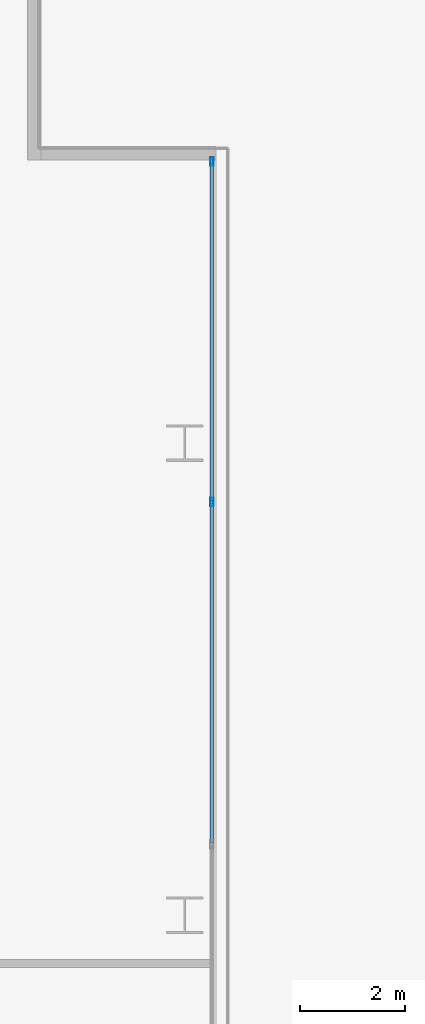
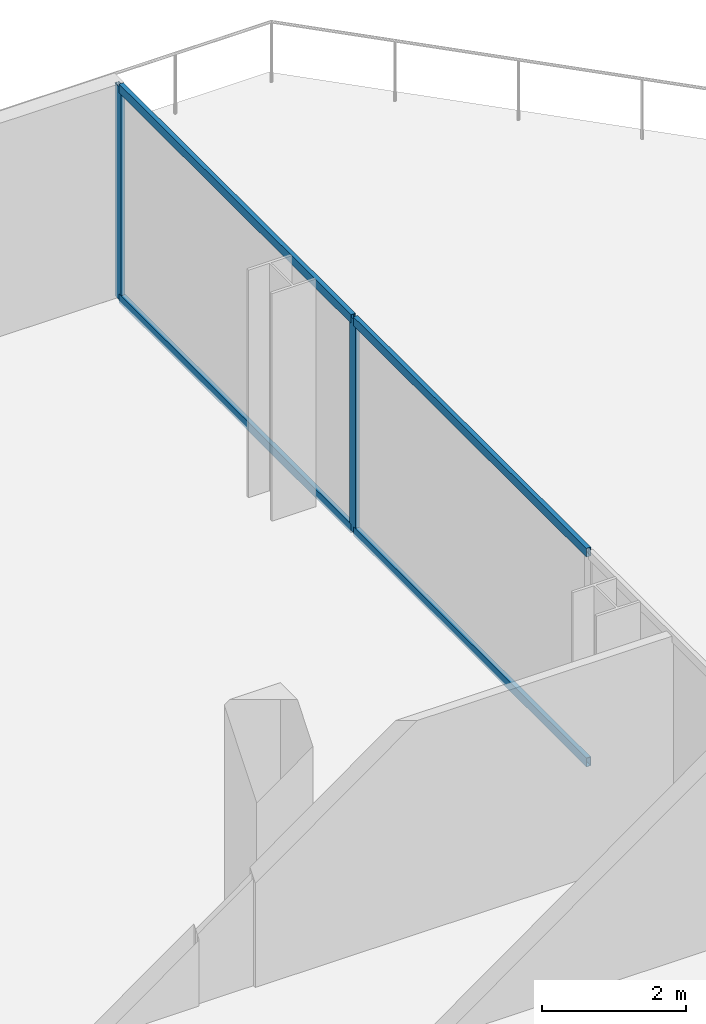
# One storey, part 21 of 31: 6 members, 1 element without a shape of its own.
"""IFC4 building model written with IfcOpenShell, lengths in metres."""

from ifc_helpers import new_model, si_unit, direction, frame, origin, origin_2d, place, context, subcontext, project, spatial, hollow_rectangle, extrude, material, layer, layer_set, material_profile, profile_set, type_object, element, aggregate, save


model = new_model("IFC4")

# Units and contexts
model_context = context("Model", 3, precision=1e-05, world=origin(), true_north=direction((0.0, 1.0)))
body_context = subcontext(model_context, "Body", "Model", "MODEL_VIEW")
ifc_project = project(units=[si_unit("LENGTHUNIT", "METRE"), si_unit("AREAUNIT", "SQUARE_METRE"), si_unit("VOLUMEUNIT", "CUBIC_METRE"), si_unit("PLANEANGLEUNIT", "RADIAN"), si_unit("MASSUNIT", "GRAM", prefix="KILO")], contexts=[model_context])

# Site, building, storey
site_placement = place(None, origin())
site = spatial("IfcSite", under=ifc_project, at=site_placement, CompositionType="ELEMENT")
building_placement = place(site_placement, origin())
building = spatial("IfcBuilding", under=site, at=building_placement, Name="Maruvema Waterfront Hotel and Observation Tower", CompositionType="ELEMENT")
storey_placement = place(building_placement, frame((0.0, 0.0, 26.949951171875)))
storey = spatial("IfcBuildingStorey", under=building, at=storey_placement, Name="L05", CompositionType="ELEMENT", Elevation=26.949951171875)

# Curtain wall, members
ifc_material_1 = material(Name="Anodised bronze aluminium and solar-control low-E IGU", Category="aluminium")
ifc_layer = layer(ifc_material_1, 0.159912109375, Name="Zone 1 Bronze Inner Thermal Curtain Wall System CW-02")
ifc_layer_set = layer_set([ifc_layer], Name="Anodised bronze aluminium and solar-control low-E IGU")
curtain_wall_type = type_object("IfcCurtainWallType", Name="Zone 1 Bronze Inner Thermal Curtain Wall System CW-02", PredefinedType="USERDEFINED", material=ifc_layer_set)
curtain_wall_placement = place(storey_placement, origin())
curtain_wall = element("IfcCurtainWall", 1, at=curtain_wall_placement, inside=storey, type_object=curtain_wall_type, Name="L05 Curtain Wall CW-L05-EN", ObjectType="UNITISED CURTAIN WALL", PredefinedType="USERDEFINED")
ifc_material_2 = material(Name="Anodised architectural bronze aluminium", Category="aluminium")
ifc_material_profile_1 = material_profile(ifc_material_2, hollow_rectangle(XDim=0.070068359375, YDim=0.14990234375, WallThickness=0.00390625, at=origin_2d()), Name="ALU-T70x150")
ifc_profile_set_1 = profile_set([ifc_material_profile_1], Name="Anodised architectural bronze aluminium")
member_type_1 = type_object("IfcMemberType", Name="Curtain Wall Horizontal Transom ALU-T70x150", PredefinedType="USERDEFINED", material=ifc_profile_set_1)
member_1_placement = place(storey_placement, frame((64.719970703125, 37.3798828125, 0.030029296875), z_axis=(0.0, 1.0, 0.0), x_axis=(-1.0, 0.0, 0.0)))
member_1 = element("IfcMember", 2, at=member_1_placement, type_object=member_type_1, Name="CW-02 transom 3.1", ObjectType="TRANSOM", PredefinedType="USERDEFINED", context=body_context, shape_type="SweptSolid", body=[
    extrude(hollow_rectangle(XDim=0.070068359375, YDim=0.14990234375, WallThickness=0.00390625, at=origin_2d()), origin(), (0.0, 0.0, 1.0), 6.465087890625),
])
member_2_placement = place(storey_placement, frame((64.719970703125, 37.3798828125, 3.580078125), z_axis=(0.0, 1.0, 0.0), x_axis=(-1.0, 0.0, 0.0)))
member_2 = element("IfcMember", 3, at=member_2_placement, type_object=member_type_1, Name="CW-02 transom 3.2", ObjectType="TRANSOM", PredefinedType="USERDEFINED", context=body_context, shape_type="SweptSolid", body=[
    extrude(hollow_rectangle(XDim=0.070068359375, YDim=0.14990234375, WallThickness=0.00390625, at=origin_2d()), origin(), (0.0, 0.0, 1.0), 6.465087890625),
])
member_3_placement = place(storey_placement, frame((64.719970703125, 43.905029296875, 0.030029296875), z_axis=(0.0, 1.0, 0.0), x_axis=(-1.0, 0.0, 0.0)))
member_3 = element("IfcMember", 4, at=member_3_placement, type_object=member_type_1, Name="CW-02 transom 4.1", ObjectType="TRANSOM", PredefinedType="USERDEFINED", context=body_context, shape_type="SweptSolid", body=[
    extrude(hollow_rectangle(XDim=0.070068359375, YDim=0.14990234375, WallThickness=0.00390625, at=origin_2d()), origin(), (0.0, 0.0, 1.0), 6.43505859375),
])
member_4_placement = place(storey_placement, frame((64.719970703125, 43.905029296875, 3.580078125), z_axis=(0.0, 1.0, 0.0), x_axis=(-1.0, 0.0, 0.0)))
member_4 = element("IfcMember", 5, at=member_4_placement, type_object=member_type_1, Name="CW-02 transom 4.2", ObjectType="TRANSOM", PredefinedType="USERDEFINED", context=body_context, shape_type="SweptSolid", body=[
    extrude(hollow_rectangle(XDim=0.070068359375, YDim=0.14990234375, WallThickness=0.00390625, at=origin_2d()), origin(), (0.0, 0.0, 1.0), 6.43505859375),
])
ifc_material_3 = material(Name="Anodised architectural bronze aluminium", Category="aluminium")
ifc_material_profile_2 = material_profile(ifc_material_3, hollow_rectangle(XDim=0.06494140625, YDim=0.1650390625, WallThickness=0.00390625, at=origin_2d()), Name="ALU-M65x165")
ifc_profile_set_2 = profile_set([ifc_material_profile_2], Name="Anodised architectural bronze aluminium")
member_type_2 = type_object("IfcMemberType", Name="Curtain Wall Primary Mullion ALU-M65x165", PredefinedType="MULLION", material=ifc_profile_set_2)
member_5_placement = place(storey_placement, frame((64.719970703125, 43.875, 0.0), z_axis=(0.0, 0.0, 1.0), x_axis=(-1.0, 0.0, 0.0)))
member_5 = element("IfcMember", 6, at=member_5_placement, type_object=member_type_2, Name="CW-02 mullion 4", PredefinedType="MULLION", context=body_context, shape_type="SweptSolid", body=[
    extrude(hollow_rectangle(XDim=0.06494140625, YDim=0.1650390625, WallThickness=0.00390625, at=origin_2d()), origin(), (0.0, 0.0, 1.0), 3.610107421875),
])
member_6_placement = place(storey_placement, frame((64.719970703125, 50.3701171875, 0.0), z_axis=(0.0, 0.0, 1.0), x_axis=(-1.0, 0.0, 0.0)))
member_6 = element("IfcMember", 7, at=member_6_placement, type_object=member_type_2, Name="CW-02 mullion 5", PredefinedType="MULLION", context=body_context, shape_type="SweptSolid", body=[
    extrude(hollow_rectangle(XDim=0.06494140625, YDim=0.1650390625, WallThickness=0.00390625, at=origin_2d()), origin(), (0.0, 0.0, 1.0), 3.610107421875),
])
aggregate(curtain_wall, [member_5, member_6, member_1, member_2, member_3, member_4])

save(model, "model.ifc")
